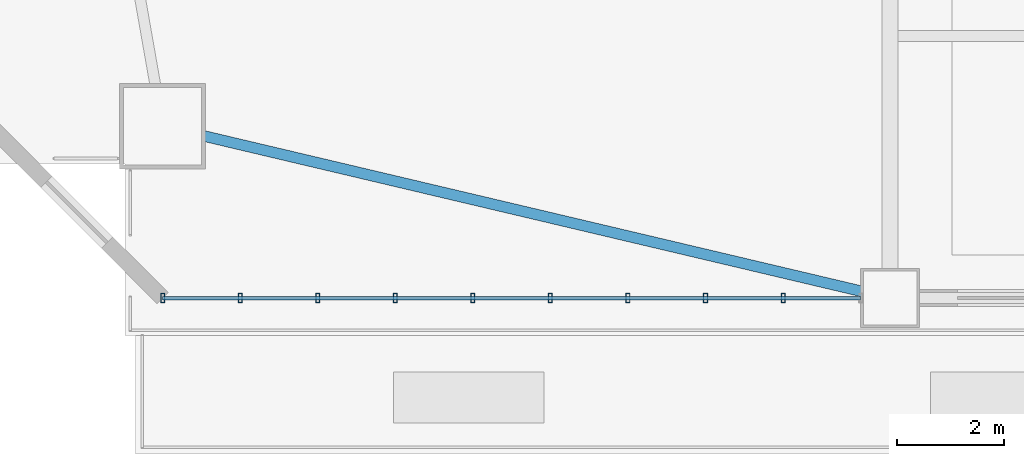
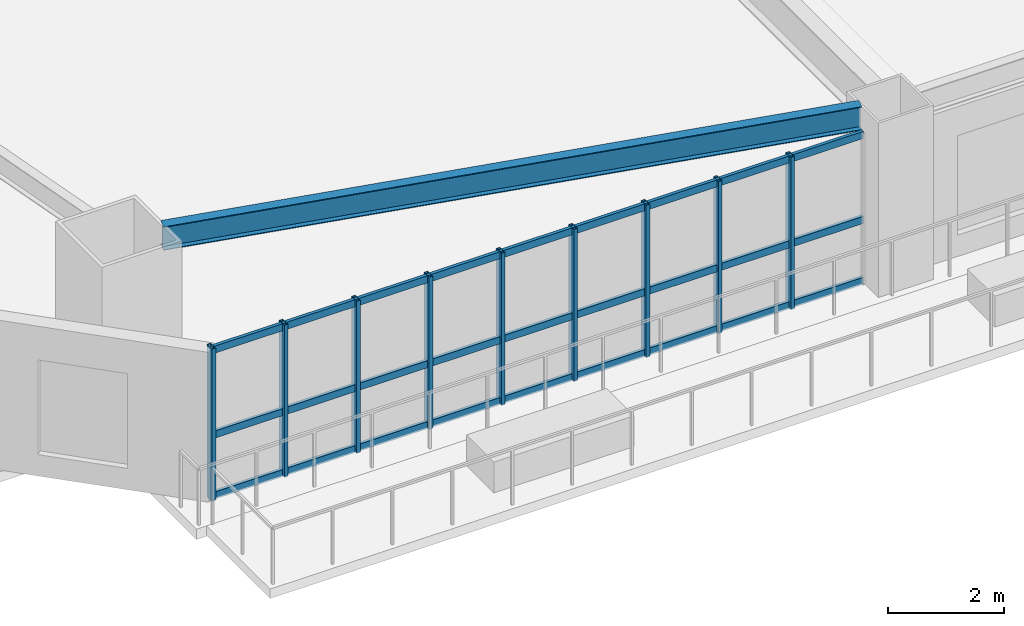
# One storey, part 2 of 17: 12 members, 1 beam, 1 element without a shape of its own.
"""IFC4 building model written with IfcOpenShell, lengths in metres."""

from ifc_helpers import new_model, si_unit, direction, frame, origin, origin_2d, place, context, subcontext, project, spatial, hollow_rectangle, i_section, extrude, source, transform, mapped, material, layer, layer_set, material_profile, profile_set, type_object, element, aggregate, save


model = new_model("IFC4")

# Units and contexts
model_context = context("Model", 3, precision=1e-05, world=origin(), true_north=direction((0.0, 1.0)))
body_context = subcontext(model_context, "Body", "Model", "MODEL_VIEW")
ifc_project = project(units=[si_unit("LENGTHUNIT", "METRE"), si_unit("AREAUNIT", "SQUARE_METRE"), si_unit("VOLUMEUNIT", "CUBIC_METRE"), si_unit("PLANEANGLEUNIT", "RADIAN"), si_unit("MASSUNIT", "GRAM", prefix="KILO")], contexts=[model_context])

# Site, building, storey
site_placement = place(None, origin())
site = spatial("IfcSite", under=ifc_project, at=site_placement, CompositionType="ELEMENT")
building_placement = place(site_placement, origin())
building = spatial("IfcBuilding", under=site, at=building_placement, Name="Giltprow Tower", CompositionType="ELEMENT")
storey_placement = place(building_placement, frame((0.0, 0.0, 25.39990234375)))
storey = spatial("IfcBuildingStorey", under=building, at=storey_placement, Name="L06", CompositionType="ELEMENT", Elevation=25.39990234375)

# Beam
ifc_material_1 = material(Name="Structural steel Q355B", Category="steel")
ifc_material_profile_1 = material_profile(ifc_material_1, i_section(OverallWidth=0.199951171875, OverallDepth=0.5, WebThickness=0.010009765625, FlangeThickness=0.01611328125, at=origin_2d()), Name="HN 500x200x10x16")
ifc_profile_set_1 = profile_set([ifc_material_profile_1], Name="Structural steel Q355B")
beam_type = type_object("IfcBeamType", Name="BM-SPAN-HN500", PredefinedType="SPANDREL", material=ifc_profile_set_1)
shared_shape_1 = source(origin(), body_context, "Body", "SweptSolid", [
    extrude(i_section(OverallWidth=0.199951171875, OverallDepth=0.5, WebThickness=0.010009765625, FlangeThickness=0.01611328125, at=origin_2d()), origin(), (0.0, 0.0, 1.0), 12.6025390625),
])
beam_placement = place(storey_placement, frame((7.06396484375, 6.320068359375, 3.43017578125), z_axis=(0.973221185684, -0.22987066741, 0.0), x_axis=(0.22987066741, 0.973221185684, 0.0)))
element("IfcBeam", 1, at=beam_placement, inside=storey, type_object=beam_type, Name="L06 Perimeter Spandrel Beam MC_SW-S1", PredefinedType="SPANDREL", context=body_context, shape_type="MappedRepresentation", body=[
    mapped(shared_shape_1, transform((0.0, 0.0, 0.0), x_axis=(1.0, 0.0, 0.0), y_axis=(0.0, 1.0, 0.0), z_axis=(0.0, 0.0, 1.0), scale=1.0)),
])

# Curtain wall, members
ifc_material_2 = material(Name="Anodized bronze", Category="metal")
ifc_layer = layer(ifc_material_2, 0.179931640625, Name="Anodized bronze")
ifc_layer_set = layer_set([ifc_layer], Name="Anodized bronze")
curtain_wall_type = type_object("IfcCurtainWallType", Name="CW-SKYGARDEN", PredefinedType="NOTDEFINED", material=ifc_layer_set)
curtain_wall_placement = place(storey_placement, origin())
curtain_wall = element("IfcCurtainWall", 2, at=curtain_wall_placement, inside=storey, type_object=curtain_wall_type, Name="L06 South Recessed Curtain Wall 1", PredefinedType="NOTDEFINED")
ifc_material_profile_2 = material_profile(ifc_material_2, hollow_rectangle(XDim=0.074951171875, YDim=0.179931640625, WallThickness=0.008056640625, at=origin_2d()), Name="RHS 180x75x8")
ifc_profile_set_2 = profile_set([ifc_material_profile_2], Name="Anodized bronze")
member_type_1 = type_object("IfcMemberType", Name="CW-MULLION-180x75", PredefinedType="MULLION", material=ifc_profile_set_2)
shared_shape_2 = source(origin(), body_context, "Body", "SweptSolid", [
    extrude(hollow_rectangle(XDim=0.074951171875, YDim=0.179931640625, WallThickness=0.008056640625, at=origin_2d()), origin(), (0.0, 0.0, 1.0), 3.215087890625),
])
member_1_placement = place(storey_placement, frame((6.300048828125, 3.300048828125, -0.02001953125), z_axis=(0.0, 0.0, 1.0), x_axis=(1.0, 0.0, 0.0)))
member_1 = element("IfcMember", 3, at=member_1_placement, type_object=member_type_1, Name="L06 South Recessed Curtain Wall 1 Mullion 1", PredefinedType="MULLION", context=body_context, shape_type="MappedRepresentation", body=[
    mapped(shared_shape_2, transform((0.0, 0.0, 0.0), x_axis=(1.0, 0.0, 0.0), y_axis=(0.0, 1.0, 0.0), z_axis=(0.0, 0.0, 1.0), scale=1.0)),
])
member_2_placement = place(storey_placement, frame((7.743896484375, 3.300048828125, -0.02001953125), z_axis=(0.0, 0.0, 1.0), x_axis=(1.0, 0.0, 0.0)))
member_2 = element("IfcMember", 4, at=member_2_placement, type_object=member_type_1, Name="L06 South Recessed Curtain Wall 1 Mullion 2", PredefinedType="MULLION", context=body_context, shape_type="MappedRepresentation", body=[
    mapped(shared_shape_2, transform((0.0, 0.0, 0.0), x_axis=(1.0, 0.0, 0.0), y_axis=(0.0, 1.0, 0.0), z_axis=(0.0, 0.0, 1.0), scale=1.0)),
])
member_3_placement = place(storey_placement, frame((9.18896484375, 3.300048828125, -0.02001953125), z_axis=(0.0, 0.0, 1.0), x_axis=(1.0, 0.0, 0.0)))
member_3 = element("IfcMember", 5, at=member_3_placement, type_object=member_type_1, Name="L06 South Recessed Curtain Wall 1 Mullion 3", PredefinedType="MULLION", context=body_context, shape_type="MappedRepresentation", body=[
    mapped(shared_shape_2, transform((0.0, 0.0, 0.0), x_axis=(1.0, 0.0, 0.0), y_axis=(0.0, 1.0, 0.0), z_axis=(0.0, 0.0, 1.0), scale=1.0)),
])
member_4_placement = place(storey_placement, frame((10.633056640625, 3.300048828125, -0.02001953125), z_axis=(0.0, 0.0, 1.0), x_axis=(1.0, 0.0, 0.0)))
member_4 = element("IfcMember", 6, at=member_4_placement, type_object=member_type_1, Name="L06 South Recessed Curtain Wall 1 Mullion 4", PredefinedType="MULLION", context=body_context, shape_type="MappedRepresentation", body=[
    mapped(shared_shape_2, transform((0.0, 0.0, 0.0), x_axis=(1.0, 0.0, 0.0), y_axis=(0.0, 1.0, 0.0), z_axis=(0.0, 0.0, 1.0), scale=1.0)),
])
member_5_placement = place(storey_placement, frame((12.077880859375, 3.300048828125, -0.02001953125), z_axis=(0.0, 0.0, 1.0), x_axis=(1.0, 0.0, 0.0)))
member_5 = element("IfcMember", 7, at=member_5_placement, type_object=member_type_1, Name="L06 South Recessed Curtain Wall 1 Mullion 5", PredefinedType="MULLION", context=body_context, shape_type="MappedRepresentation", body=[
    mapped(shared_shape_2, transform((0.0, 0.0, 0.0), x_axis=(1.0, 0.0, 0.0), y_axis=(0.0, 1.0, 0.0), z_axis=(0.0, 0.0, 1.0), scale=1.0)),
])
member_6_placement = place(storey_placement, frame((13.52197265625, 3.300048828125, -0.02001953125), z_axis=(0.0, 0.0, 1.0), x_axis=(1.0, 0.0, 0.0)))
member_6 = element("IfcMember", 8, at=member_6_placement, type_object=member_type_1, Name="L06 South Recessed Curtain Wall 1 Mullion 6", PredefinedType="MULLION", context=body_context, shape_type="MappedRepresentation", body=[
    mapped(shared_shape_2, transform((0.0, 0.0, 0.0), x_axis=(1.0, 0.0, 0.0), y_axis=(0.0, 1.0, 0.0), z_axis=(0.0, 0.0, 1.0), scale=1.0)),
])
member_7_placement = place(storey_placement, frame((14.967041015625, 3.300048828125, -0.02001953125), z_axis=(0.0, 0.0, 1.0), x_axis=(1.0, 0.0, 0.0)))
member_7 = element("IfcMember", 9, at=member_7_placement, type_object=member_type_1, Name="L06 South Recessed Curtain Wall 1 Mullion 7", PredefinedType="MULLION", context=body_context, shape_type="MappedRepresentation", body=[
    mapped(shared_shape_2, transform((0.0, 0.0, 0.0), x_axis=(1.0, 0.0, 0.0), y_axis=(0.0, 1.0, 0.0), z_axis=(0.0, 0.0, 1.0), scale=1.0)),
])
member_8_placement = place(storey_placement, frame((16.410888671875, 3.300048828125, -0.02001953125), z_axis=(0.0, 0.0, 1.0), x_axis=(1.0, 0.0, 0.0)))
member_8 = element("IfcMember", 10, at=member_8_placement, type_object=member_type_1, Name="L06 South Recessed Curtain Wall 1 Mullion 8", PredefinedType="MULLION", context=body_context, shape_type="MappedRepresentation", body=[
    mapped(shared_shape_2, transform((0.0, 0.0, 0.0), x_axis=(1.0, 0.0, 0.0), y_axis=(0.0, 1.0, 0.0), z_axis=(0.0, 0.0, 1.0), scale=1.0)),
])
member_9_placement = place(storey_placement, frame((17.85595703125, 3.300048828125, -0.02001953125), z_axis=(0.0, 0.0, 1.0), x_axis=(1.0, 0.0, 0.0)))
member_9 = element("IfcMember", 11, at=member_9_placement, type_object=member_type_1, Name="L06 South Recessed Curtain Wall 1 Mullion 9", PredefinedType="MULLION", context=body_context, shape_type="MappedRepresentation", body=[
    mapped(shared_shape_2, transform((0.0, 0.0, 0.0), x_axis=(1.0, 0.0, 0.0), y_axis=(0.0, 1.0, 0.0), z_axis=(0.0, 0.0, 1.0), scale=1.0)),
])
ifc_material_profile_3 = material_profile(ifc_material_2, hollow_rectangle(XDim=0.06494140625, YDim=0.14990234375, WallThickness=0.006103515625, at=origin_2d()), Name="RHS 150x65x6")
ifc_profile_set_3 = profile_set([ifc_material_profile_3], Name="Anodized bronze")
member_type_2 = type_object("IfcMemberType", Name="CW-TRANSOM-150x65", PredefinedType="USERDEFINED", material=ifc_profile_set_3)
shared_shape_3 = source(origin(), body_context, "Body", "SweptSolid", [
    extrude(hollow_rectangle(XDim=0.06494140625, YDim=0.14990234375, WallThickness=0.006103515625, at=origin_2d()), origin(), (0.0, 0.0, 1.0), 13.0),
])
member_10_placement = place(storey_placement, frame((6.300048828125, 3.300048828125, 0.0400390625), z_axis=(1.0, 0.0, 0.0), x_axis=(0.0, 1.0, 0.0)))
member_10 = element("IfcMember", 12, at=member_10_placement, type_object=member_type_2, Name="L06 South Recessed Curtain Wall 1 Transom 1", ObjectType="TRANSOM", PredefinedType="USERDEFINED", context=body_context, shape_type="MappedRepresentation", body=[
    mapped(shared_shape_3, transform((0.0, 0.0, 0.0), x_axis=(1.0, 0.0, 0.0), y_axis=(0.0, 1.0, 0.0), z_axis=(0.0, 0.0, 1.0), scale=1.0)),
])
member_11_placement = place(storey_placement, frame((6.300048828125, 3.300048828125, 1.3271484375), z_axis=(1.0, 0.0, 0.0), x_axis=(0.0, 1.0, 0.0)))
member_11 = element("IfcMember", 13, at=member_11_placement, type_object=member_type_2, Name="L06 South Recessed Curtain Wall 1 Transom 2", ObjectType="TRANSOM", PredefinedType="USERDEFINED", context=body_context, shape_type="MappedRepresentation", body=[
    mapped(shared_shape_3, transform((0.0, 0.0, 0.0), x_axis=(1.0, 0.0, 0.0), y_axis=(0.0, 1.0, 0.0), z_axis=(0.0, 0.0, 1.0), scale=1.0)),
])
member_12_placement = place(storey_placement, frame((6.300048828125, 3.300048828125, 3.1201171875), z_axis=(1.0, 0.0, 0.0), x_axis=(0.0, 1.0, 0.0)))
member_12 = element("IfcMember", 14, at=member_12_placement, type_object=member_type_2, Name="L06 South Recessed Curtain Wall 1 Transom 3", ObjectType="TRANSOM", PredefinedType="USERDEFINED", context=body_context, shape_type="MappedRepresentation", body=[
    mapped(shared_shape_3, transform((0.0, 0.0, 0.0), x_axis=(1.0, 0.0, 0.0), y_axis=(0.0, 1.0, 0.0), z_axis=(0.0, 0.0, 1.0), scale=1.0)),
])
aggregate(curtain_wall, [member_1, member_2, member_3, member_4, member_5, member_6, member_7, member_8, member_9, member_10, member_11, member_12])

save(model, "model.ifc")
